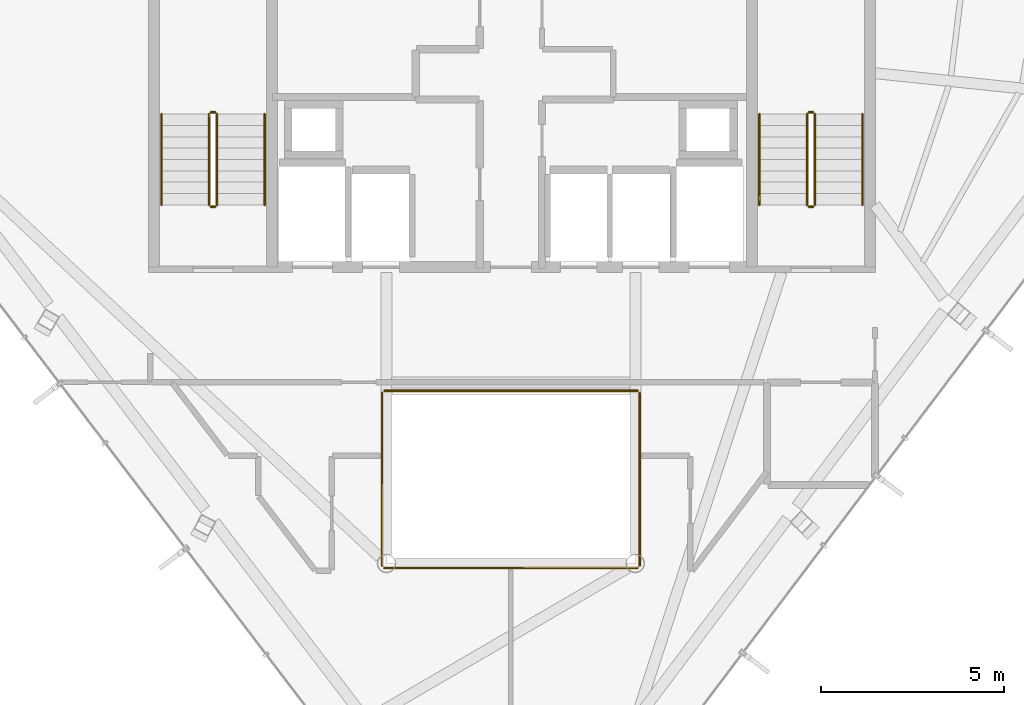
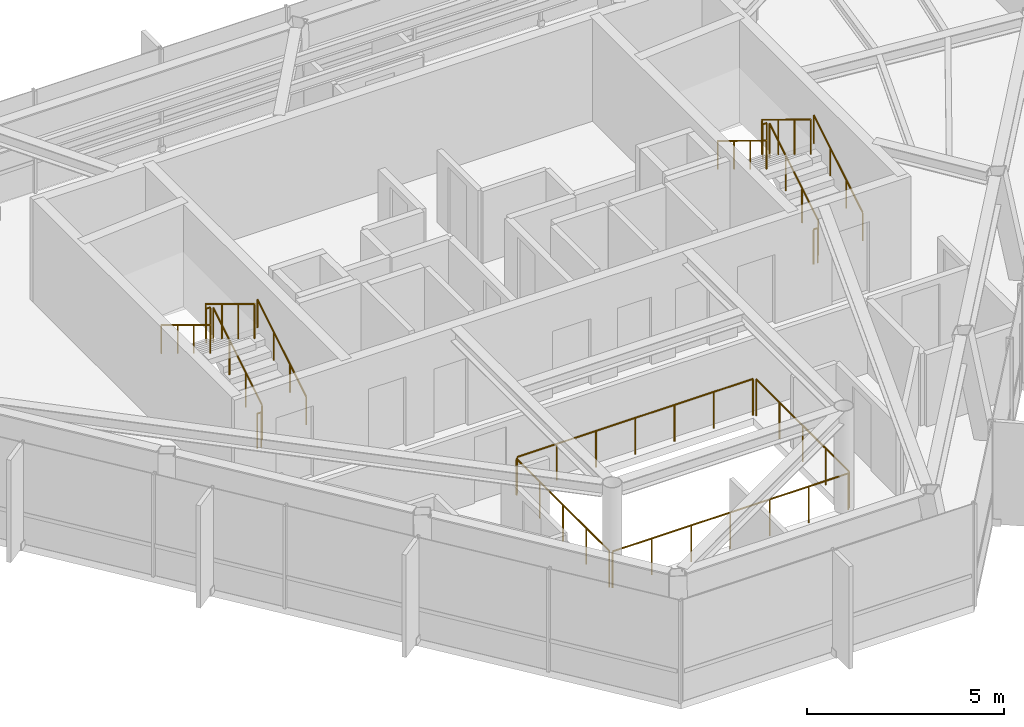
# One storey, part 21 of 21: 16 railings.
"""IFC4 building model written with IfcOpenShell, lengths in metres."""

from ifc_helpers import new_model, si_unit, direction, frame, origin, origin_2d, place, context, subcontext, project, spatial, circle, extrude, material, type_object, element, save


model = new_model("IFC4")

# Units and contexts
model_context = context("Model", 3, precision=1e-05, world=origin(), true_north=direction((0.0, 1.0)))
body_context = subcontext(model_context, "Body", "Model", "MODEL_VIEW")
ifc_project = project(units=[si_unit("LENGTHUNIT", "METRE"), si_unit("AREAUNIT", "SQUARE_METRE"), si_unit("VOLUMEUNIT", "CUBIC_METRE"), si_unit("PLANEANGLEUNIT", "RADIAN"), si_unit("MASSUNIT", "GRAM", prefix="KILO")], contexts=[model_context])

# Site, building, storey
site_placement = place(None, origin())
site = spatial("IfcSite", under=ifc_project, at=site_placement, CompositionType="ELEMENT")
building_placement = place(site_placement, origin())
building = spatial("IfcBuilding", under=site, at=building_placement, Name="Zarrinselat Tower", CompositionType="ELEMENT")
storey_placement = place(building_placement, frame((0.0, 0.0, 285.60009765625)))
storey = spatial("IfcBuildingStorey", under=building, at=storey_placement, Name="L73", CompositionType="ELEMENT", Elevation=285.60009765625)

# Railings
ifc_material_1 = material(Name="Double Low-E Laminated Solar Glass", Category="glass")
railing_type_1 = type_object("IfcRailingType", Name="RLG-ATRIUM-BAL", PredefinedType="BALUSTRADE", material=ifc_material_1)
railing_1_placement = place(storey_placement, frame((34.93994140625, 25.080078125, 0.0)))
element("IfcRailing", 1, at=railing_1_placement, inside=storey, type_object=railing_type_1, Name="L73 Atrium Void Glass Balustrade S", PredefinedType="BALUSTRADE", context=body_context, shape_type="SweptSolid", body=[
    extrude(circle(Radius=0.02392578125, at=origin_2d()), frame((0.0, 0.0, 1.1259765625), z_axis=(1.0, 0.0, 0.0), x_axis=(0.0, 1.0, 0.0)), (0.0, 0.0, 1.0), 6.920166015625),
    extrude(circle(Radius=0.02099609375, at=origin_2d()), origin(), (0.0, 0.0, 1.0), 1.099853515625),
    extrude(circle(Radius=0.02099609375, at=origin_2d()), frame((1.1533203125, 0.0, 0.0)), (0.0, 0.0, 1.0), 1.099853515625),
    extrude(circle(Radius=0.02099609375, at=origin_2d()), frame((2.306640625, 0.0, 0.0)), (0.0, 0.0, 1.0), 1.099853515625),
    extrude(circle(Radius=0.02099609375, at=origin_2d()), frame((3.4599609375, 0.0, 0.0)), (0.0, 0.0, 1.0), 1.099853515625),
    extrude(circle(Radius=0.02099609375, at=origin_2d()), frame((4.613525390625, 0.0, 0.0)), (0.0, 0.0, 1.0), 1.099853515625),
    extrude(circle(Radius=0.02099609375, at=origin_2d()), frame((5.766845703125, 0.0, 0.0)), (0.0, 0.0, 1.0), 1.099853515625),
    extrude(circle(Radius=0.02099609375, at=origin_2d()), frame((6.920166015625, 0.0, 0.0)), (0.0, 0.0, 1.0), 1.099853515625),
])
railing_2_placement = place(storey_placement, frame((41.919921875, 25.139892578125, 0.0)))
element("IfcRailing", 2, at=railing_2_placement, inside=storey, type_object=railing_type_1, Name="L73 Atrium Void Glass Balustrade E", PredefinedType="BALUSTRADE", context=body_context, shape_type="SweptSolid", body=[
    extrude(circle(Radius=0.02392578125, at=origin_2d()), frame((0.0, 0.0, 1.1259765625), z_axis=(0.0, 1.0, 0.0), x_axis=(-1.0, 0.0, 0.0)), (0.0, 0.0, 1.0), 4.72021484375),
    extrude(circle(Radius=0.02099609375, at=origin_2d()), origin(), (0.0, 0.0, 1.0), 1.099853515625),
    extrude(circle(Radius=0.02099609375, at=origin_2d()), frame((0.0, 1.18017578125, 0.0)), (0.0, 0.0, 1.0), 1.099853515625),
    extrude(circle(Radius=0.02099609375, at=origin_2d()), frame((0.0, 2.360107421875, 0.0)), (0.0, 0.0, 1.0), 1.099853515625),
    extrude(circle(Radius=0.02099609375, at=origin_2d()), frame((0.0, 3.5400390625, 0.0)), (0.0, 0.0, 1.0), 1.099853515625),
    extrude(circle(Radius=0.02099609375, at=origin_2d()), frame((0.0, 4.72021484375, 0.0)), (0.0, 0.0, 1.0), 1.099853515625),
])
railing_3_placement = place(storey_placement, frame((41.860107421875, 29.919921875, 0.0)))
element("IfcRailing", 3, at=railing_3_placement, inside=storey, type_object=railing_type_1, Name="L73 Atrium Void Glass Balustrade N", PredefinedType="BALUSTRADE", context=body_context, shape_type="SweptSolid", body=[
    extrude(circle(Radius=0.02392578125, at=origin_2d()), frame((0.0, 0.0, 1.1259765625), z_axis=(-1.0, 0.0, 0.0), x_axis=(0.0, -1.0, 0.0)), (0.0, 0.0, 1.0), 6.920166015625),
    extrude(circle(Radius=0.02099609375, at=origin_2d()), origin(), (0.0, 0.0, 1.0), 1.099853515625),
    extrude(circle(Radius=0.02099609375, at=origin_2d()), frame((-1.1533203125, 0.0, 0.0)), (0.0, 0.0, 1.0), 1.099853515625),
    extrude(circle(Radius=0.02099609375, at=origin_2d()), frame((-2.306640625, 0.0, 0.0)), (0.0, 0.0, 1.0), 1.099853515625),
    extrude(circle(Radius=0.02099609375, at=origin_2d()), frame((-3.4599609375, 0.0, 0.0)), (0.0, 0.0, 1.0), 1.099853515625),
    extrude(circle(Radius=0.02099609375, at=origin_2d()), frame((-4.613525390625, 0.0, 0.0)), (0.0, 0.0, 1.0), 1.099853515625),
    extrude(circle(Radius=0.02099609375, at=origin_2d()), frame((-5.766845703125, 0.0, 0.0)), (0.0, 0.0, 1.0), 1.099853515625),
    extrude(circle(Radius=0.02099609375, at=origin_2d()), frame((-6.920166015625, 0.0, 0.0)), (0.0, 0.0, 1.0), 1.099853515625),
])
railing_4_placement = place(storey_placement, frame((34.8798828125, 29.860107421875, 0.0)))
element("IfcRailing", 4, at=railing_4_placement, inside=storey, type_object=railing_type_1, Name="L73 Atrium Void Glass Balustrade W", PredefinedType="BALUSTRADE", context=body_context, shape_type="SweptSolid", body=[
    extrude(circle(Radius=0.02392578125, at=origin_2d()), frame((0.0, 0.0, 1.1259765625), z_axis=(0.0, -1.0, 0.0), x_axis=(1.0, 0.0, 0.0)), (0.0, 0.0, 1.0), 4.72021484375),
    extrude(circle(Radius=0.02099609375, at=origin_2d()), origin(), (0.0, 0.0, 1.0), 1.099853515625),
    extrude(circle(Radius=0.02099609375, at=origin_2d()), frame((0.0, -1.18017578125, 0.0)), (0.0, 0.0, 1.0), 1.099853515625),
    extrude(circle(Radius=0.02099609375, at=origin_2d()), frame((0.0, -2.360107421875, 0.0)), (0.0, 0.0, 1.0), 1.099853515625),
    extrude(circle(Radius=0.02099609375, at=origin_2d()), frame((0.0, -3.5400390625, 0.0)), (0.0, 0.0, 1.0), 1.099853515625),
    extrude(circle(Radius=0.02099609375, at=origin_2d()), frame((0.0, -4.72021484375, 0.0)), (0.0, 0.0, 1.0), 1.099853515625),
])
ifc_material_2 = material(Name="Steel S355J2", Category="steel")
railing_type_2 = type_object("IfcRailingType", Name="RLG-STAIR-GUARD", PredefinedType="GUARDRAIL", material=ifc_material_2)
railing_5_placement = place(storey_placement, frame((30.3701171875, 35.0, 0.188720703125)))
element("IfcRailing", 5, at=railing_5_placement, inside=storey, type_object=railing_type_2, Name="L73 ST-1 stair guard 1", PredefinedType="GUARDRAIL", context=body_context, shape_type="SweptSolid", body=[
    extrude(circle(Radius=0.02392578125, at=origin_2d()), frame((0.0, 0.0, 1.076171875), z_axis=(0.0, 0.853941963558, 0.520368256982), x_axis=(-1.0, 0.0, 0.0)), (0.0, 0.0, 1.0), 2.904052734375),
    extrude(circle(Radius=0.02099609375, at=origin_2d()), origin(), (0.0, 0.0, 1.0), 1.050048828125),
    extrude(circle(Radius=0.02099609375, at=origin_2d()), frame((0.0, 0.82666015625, 0.503662109375)), (0.0, 0.0, 1.0), 1.050048828125),
    extrude(circle(Radius=0.02099609375, at=origin_2d()), frame((0.0, 1.6533203125, 1.007568359375)), (0.0, 0.0, 1.0), 1.050048828125),
    extrude(circle(Radius=0.02099609375, at=origin_2d()), frame((0.0, 2.47998046875, 1.51123046875)), (0.0, 0.0, 1.0), 1.050048828125),
])
railing_6_placement = place(storey_placement, frame((30.320068359375, 37.530029296875, 1.699951171875)))
element("IfcRailing", 6, at=railing_6_placement, inside=storey, type_object=railing_type_2, Name="L73 ST-1 stair guard 2", PredefinedType="GUARDRAIL", context=body_context, shape_type="SweptSolid", body=[
    extrude(circle(Radius=0.02392578125, at=origin_2d()), frame((0.0, 0.0, 1.076171875), z_axis=(-1.0, 0.0, 0.0), x_axis=(0.0, -1.0, 0.0)), (0.0, 0.0, 1.0), 0.1201171875),
    extrude(circle(Radius=0.02099609375, at=origin_2d()), origin(), (0.0, 0.0, 1.0), 1.050048828125),
    extrude(circle(Radius=0.02099609375, at=origin_2d()), frame((-0.1201171875, 0.0, 0.0)), (0.0, 0.0, 1.0), 1.050048828125),
])
railing_7_placement = place(storey_placement, frame((30.14990234375, 37.47998046875, 1.888671875)))
element("IfcRailing", 7, at=railing_7_placement, inside=storey, type_object=railing_type_2, Name="L73 ST-1 stair guard 3", PredefinedType="GUARDRAIL", context=body_context, shape_type="SweptSolid", body=[
    extrude(circle(Radius=0.02392578125, at=origin_2d()), frame((0.0, 0.0, 1.076171875), z_axis=(0.0, -0.853941963558, 0.520368256982), x_axis=(1.0, 0.0, 0.0)), (0.0, 0.0, 1.0), 2.904052734375),
    extrude(circle(Radius=0.02099609375, at=origin_2d()), origin(), (0.0, 0.0, 1.0), 1.050048828125),
    extrude(circle(Radius=0.02099609375, at=origin_2d()), frame((0.0, -0.82666015625, 0.503662109375)), (0.0, 0.0, 1.0), 1.050048828125),
    extrude(circle(Radius=0.02099609375, at=origin_2d()), frame((0.0, -1.6533203125, 1.007568359375)), (0.0, 0.0, 1.0), 1.050048828125),
    extrude(circle(Radius=0.02099609375, at=origin_2d()), frame((0.0, -2.47998046875, 1.51123046875)), (0.0, 0.0, 1.0), 1.050048828125),
])
railing_8_placement = place(storey_placement, frame((30.320068359375, 34.949951171875, 0.0)))
element("IfcRailing", 8, at=railing_8_placement, inside=storey, type_object=railing_type_2, Name="L73 ST-1 stair guard 4", PredefinedType="GUARDRAIL", context=body_context, shape_type="SweptSolid", body=[
    extrude(circle(Radius=0.02392578125, at=origin_2d()), frame((0.0, 0.0, 1.076171875), z_axis=(-1.0, 0.0, 0.0), x_axis=(0.0, -1.0, 0.0)), (0.0, 0.0, 1.0), 0.1201171875),
    extrude(circle(Radius=0.02099609375, at=origin_2d()), origin(), (0.0, 0.0, 1.0), 1.050048828125),
    extrude(circle(Radius=0.02099609375, at=origin_2d()), frame((-0.1201171875, 0.0, 0.0)), (0.0, 0.0, 1.0), 1.050048828125),
])
railing_9_placement = place(storey_placement, frame((46.7099609375, 35.0, 0.188720703125)))
element("IfcRailing", 9, at=railing_9_placement, inside=storey, type_object=railing_type_2, Name="L73 ST-2 stair guard 1", PredefinedType="GUARDRAIL", context=body_context, shape_type="SweptSolid", body=[
    extrude(circle(Radius=0.02392578125, at=origin_2d()), frame((0.0, 0.0, 1.076171875), z_axis=(0.0, 0.853941963558, 0.520368256982), x_axis=(-1.0, 0.0, 0.0)), (0.0, 0.0, 1.0), 2.904052734375),
    extrude(circle(Radius=0.02099609375, at=origin_2d()), origin(), (0.0, 0.0, 1.0), 1.050048828125),
    extrude(circle(Radius=0.02099609375, at=origin_2d()), frame((0.0, 0.82666015625, 0.503662109375)), (0.0, 0.0, 1.0), 1.050048828125),
    extrude(circle(Radius=0.02099609375, at=origin_2d()), frame((0.0, 1.6533203125, 1.007568359375)), (0.0, 0.0, 1.0), 1.050048828125),
    extrude(circle(Radius=0.02099609375, at=origin_2d()), frame((0.0, 2.47998046875, 1.51123046875)), (0.0, 0.0, 1.0), 1.050048828125),
])
railing_10_placement = place(storey_placement, frame((46.659912109375, 37.530029296875, 1.699951171875)))
element("IfcRailing", 10, at=railing_10_placement, inside=storey, type_object=railing_type_2, Name="L73 ST-2 stair guard 2", PredefinedType="GUARDRAIL", context=body_context, shape_type="SweptSolid", body=[
    extrude(circle(Radius=0.02392578125, at=origin_2d()), frame((0.0, 0.0, 1.076171875), z_axis=(-1.0, 0.0, 0.0), x_axis=(0.0, -1.0, 0.0)), (0.0, 0.0, 1.0), 0.119873046875),
    extrude(circle(Radius=0.02099609375, at=origin_2d()), origin(), (0.0, 0.0, 1.0), 1.050048828125),
    extrude(circle(Radius=0.02099609375, at=origin_2d()), frame((-0.119873046875, 0.0, 0.0)), (0.0, 0.0, 1.0), 1.050048828125),
])
railing_11_placement = place(storey_placement, frame((46.489990234375, 37.47998046875, 1.888671875)))
element("IfcRailing", 11, at=railing_11_placement, inside=storey, type_object=railing_type_2, Name="L73 ST-2 stair guard 3", PredefinedType="GUARDRAIL", context=body_context, shape_type="SweptSolid", body=[
    extrude(circle(Radius=0.02392578125, at=origin_2d()), frame((0.0, 0.0, 1.076171875), z_axis=(0.0, -0.853941963558, 0.520368256982), x_axis=(1.0, 0.0, 0.0)), (0.0, 0.0, 1.0), 2.904052734375),
    extrude(circle(Radius=0.02099609375, at=origin_2d()), origin(), (0.0, 0.0, 1.0), 1.050048828125),
    extrude(circle(Radius=0.02099609375, at=origin_2d()), frame((0.0, -0.82666015625, 0.503662109375)), (0.0, 0.0, 1.0), 1.050048828125),
    extrude(circle(Radius=0.02099609375, at=origin_2d()), frame((0.0, -1.6533203125, 1.007568359375)), (0.0, 0.0, 1.0), 1.050048828125),
    extrude(circle(Radius=0.02099609375, at=origin_2d()), frame((0.0, -2.47998046875, 1.51123046875)), (0.0, 0.0, 1.0), 1.050048828125),
])
railing_12_placement = place(storey_placement, frame((46.659912109375, 34.949951171875, 0.0)))
element("IfcRailing", 12, at=railing_12_placement, inside=storey, type_object=railing_type_2, Name="L73 ST-2 stair guard 4", PredefinedType="GUARDRAIL", context=body_context, shape_type="SweptSolid", body=[
    extrude(circle(Radius=0.02392578125, at=origin_2d()), frame((0.0, 0.0, 1.076171875), z_axis=(-1.0, 0.0, 0.0), x_axis=(0.0, -1.0, 0.0)), (0.0, 0.0, 1.0), 0.119873046875),
    extrude(circle(Radius=0.02099609375, at=origin_2d()), origin(), (0.0, 0.0, 1.0), 1.050048828125),
    extrude(circle(Radius=0.02099609375, at=origin_2d()), frame((-0.119873046875, 0.0, 0.0)), (0.0, 0.0, 1.0), 1.050048828125),
])
ifc_material_3 = material(Name="Steel S355J2", Category="steel")
railing_type_3 = type_object("IfcRailingType", Name="RLG-STAIR-HAND", PredefinedType="HANDRAIL", material=ifc_material_3)
railing_13_placement = place(storey_placement, frame((31.669921875, 35.0, 0.188720703125)))
element("IfcRailing", 13, at=railing_13_placement, inside=storey, type_object=railing_type_3, Name="L73 ST-1 stair handrail 1", PredefinedType="HANDRAIL", context=body_context, shape_type="SweptSolid", body=[
    extrude(circle(Radius=0.02392578125, at=origin_2d()), frame((0.0, 0.0, 0.8759765625), z_axis=(0.0, 0.853941963558, 0.520368256982), x_axis=(-1.0, 0.0, 0.0)), (0.0, 0.0, 1.0), 2.904052734375),
    extrude(circle(Radius=0.02099609375, at=origin_2d()), origin(), (0.0, 0.0, 1.0), 0.849853515625),
    extrude(circle(Radius=0.02099609375, at=origin_2d()), frame((0.0, 0.82666015625, 0.503662109375)), (0.0, 0.0, 1.0), 0.849853515625),
    extrude(circle(Radius=0.02099609375, at=origin_2d()), frame((0.0, 1.6533203125, 1.007568359375)), (0.0, 0.0, 1.0), 0.849853515625),
    extrude(circle(Radius=0.02099609375, at=origin_2d()), frame((0.0, 2.47998046875, 1.51123046875)), (0.0, 0.0, 1.0), 0.849853515625),
])
railing_14_placement = place(storey_placement, frame((28.85009765625, 37.47998046875, 1.888671875)))
element("IfcRailing", 14, at=railing_14_placement, inside=storey, type_object=railing_type_3, Name="L73 ST-1 stair handrail 2", PredefinedType="HANDRAIL", context=body_context, shape_type="SweptSolid", body=[
    extrude(circle(Radius=0.02392578125, at=origin_2d()), frame((0.0, 0.0, 0.8759765625), z_axis=(0.0, -0.853941963558, 0.520368256982), x_axis=(1.0, 0.0, 0.0)), (0.0, 0.0, 1.0), 2.904052734375),
    extrude(circle(Radius=0.02099609375, at=origin_2d()), origin(), (0.0, 0.0, 1.0), 0.849853515625),
    extrude(circle(Radius=0.02099609375, at=origin_2d()), frame((0.0, -0.82666015625, 0.503662109375)), (0.0, 0.0, 1.0), 0.849853515625),
    extrude(circle(Radius=0.02099609375, at=origin_2d()), frame((0.0, -1.6533203125, 1.007568359375)), (0.0, 0.0, 1.0), 0.849853515625),
    extrude(circle(Radius=0.02099609375, at=origin_2d()), frame((0.0, -2.47998046875, 1.51123046875)), (0.0, 0.0, 1.0), 0.849853515625),
])
railing_15_placement = place(storey_placement, frame((48.010009765625, 35.0, 0.188720703125)))
element("IfcRailing", 15, at=railing_15_placement, inside=storey, type_object=railing_type_3, Name="L73 ST-2 stair handrail 1", PredefinedType="HANDRAIL", context=body_context, shape_type="SweptSolid", body=[
    extrude(circle(Radius=0.02392578125, at=origin_2d()), frame((0.0, 0.0, 0.8759765625), z_axis=(0.0, 0.853941963558, 0.520368256982), x_axis=(-1.0, 0.0, 0.0)), (0.0, 0.0, 1.0), 2.904052734375),
    extrude(circle(Radius=0.02099609375, at=origin_2d()), origin(), (0.0, 0.0, 1.0), 0.849853515625),
    extrude(circle(Radius=0.02099609375, at=origin_2d()), frame((0.0, 0.82666015625, 0.503662109375)), (0.0, 0.0, 1.0), 0.849853515625),
    extrude(circle(Radius=0.02099609375, at=origin_2d()), frame((0.0, 1.6533203125, 1.007568359375)), (0.0, 0.0, 1.0), 0.849853515625),
    extrude(circle(Radius=0.02099609375, at=origin_2d()), frame((0.0, 2.47998046875, 1.51123046875)), (0.0, 0.0, 1.0), 0.849853515625),
])
railing_16_placement = place(storey_placement, frame((45.18994140625, 37.47998046875, 1.888671875)))
element("IfcRailing", 16, at=railing_16_placement, inside=storey, type_object=railing_type_3, Name="L73 ST-2 stair handrail 2", PredefinedType="HANDRAIL", context=body_context, shape_type="SweptSolid", body=[
    extrude(circle(Radius=0.02392578125, at=origin_2d()), frame((0.0, 0.0, 0.8759765625), z_axis=(0.0, -0.853941963558, 0.520368256982), x_axis=(1.0, 0.0, 0.0)), (0.0, 0.0, 1.0), 2.904052734375),
    extrude(circle(Radius=0.02099609375, at=origin_2d()), origin(), (0.0, 0.0, 1.0), 0.849853515625),
    extrude(circle(Radius=0.02099609375, at=origin_2d()), frame((0.0, -0.82666015625, 0.503662109375)), (0.0, 0.0, 1.0), 0.849853515625),
    extrude(circle(Radius=0.02099609375, at=origin_2d()), frame((0.0, -1.6533203125, 1.007568359375)), (0.0, 0.0, 1.0), 0.849853515625),
    extrude(circle(Radius=0.02099609375, at=origin_2d()), frame((0.0, -2.47998046875, 1.51123046875)), (0.0, 0.0, 1.0), 0.849853515625),
])

save(model, "model.ifc")
